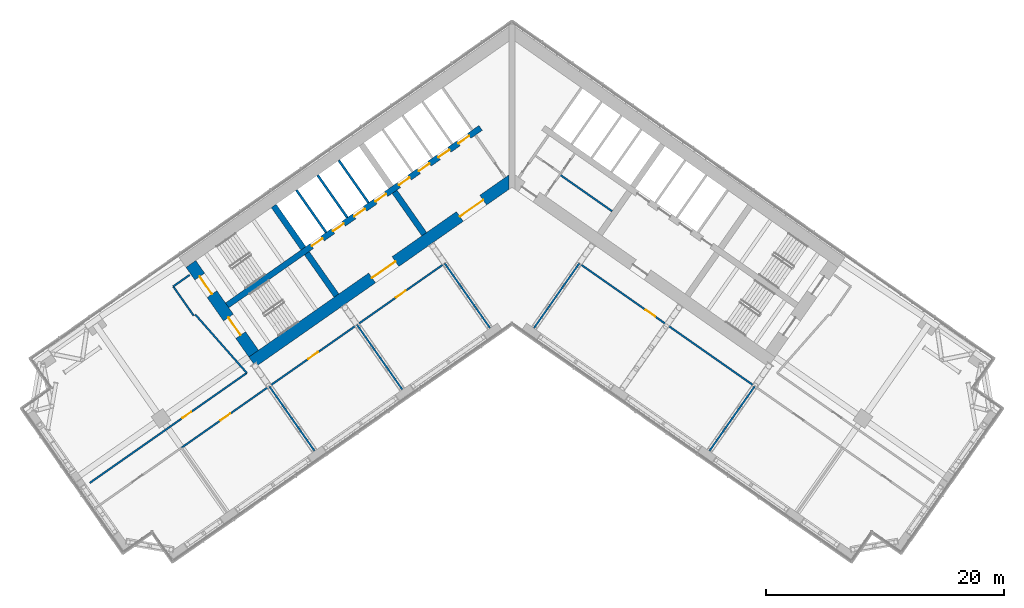
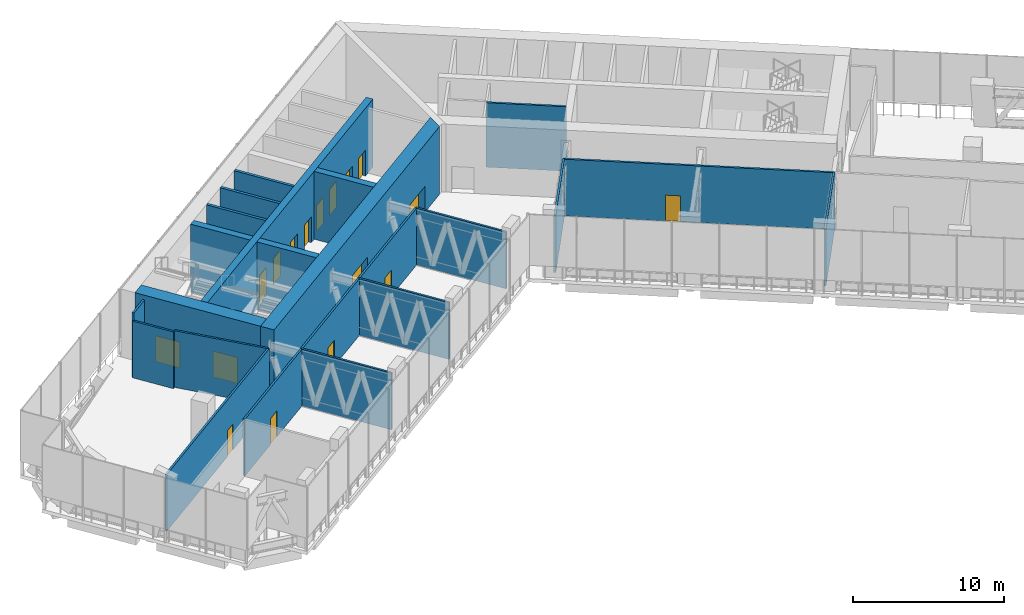
# One storey, part 5 of 24: 23 walls, 17 doors, 17 openings.
"""IFC4 building model written with IfcOpenShell, lengths in metres."""

from ifc_helpers import new_model, si_unit, direction, frame, frame_2d, origin, place, context, subcontext, project, spatial, polyline, rectangle, outline, extrude, material, layer, layer_set, type_object, element, fill, save


model = new_model("IFC4")

# Units and contexts
model_context = context("Model", 3, precision=1e-05, world=origin(), true_north=direction((0.0, 1.0)))
body_context = subcontext(model_context, "Body", "Model", "MODEL_VIEW")
ifc_project = project(units=[si_unit("LENGTHUNIT", "METRE"), si_unit("AREAUNIT", "SQUARE_METRE"), si_unit("VOLUMEUNIT", "CUBIC_METRE"), si_unit("PLANEANGLEUNIT", "RADIAN"), si_unit("MASSUNIT", "GRAM", prefix="KILO")], contexts=[model_context])

# Site, building, storey
site_placement = place(None, origin())
site = spatial("IfcSite", under=ifc_project, at=site_placement, CompositionType="ELEMENT")
building_placement = place(site_placement, origin())
building = spatial("IfcBuilding", under=site, at=building_placement, Name="Tel Ilan Convention Tower", CompositionType="ELEMENT")
storey_placement = place(building_placement, frame((0.0, 0.0, 126.5)))
storey = spatial("IfcBuildingStorey", under=building, at=storey_placement, Name="L28", CompositionType="ELEMENT", Elevation=126.5)

# Wall
ifc_material_1 = material(Name="Gypsum Plasterboard on Steel Stud", Category="steel")
ifc_layer_1 = layer(ifc_material_1, 0.14990234375)
ifc_layer_set_1 = layer_set([ifc_layer_1], Name="Core Room Partition Wall 150 mm EI 60")
wall_type_1 = type_object("IfcWallType", Name="Core Room Partition Wall 150 mm EI 60", PredefinedType="PARTITIONING", material=ifc_layer_set_1)
wall_1_placement = place(storey_placement, frame((4.03271484375, -0.16845703125, 0.0), z_axis=(0.0, 0.0, 1.0), x_axis=(0.819146154531, -0.573584847705, 0.0)))
element("IfcWall", 1, at=wall_1_placement, inside=storey, type_object=wall_type_1, Name="L28 core wall wc-h2", PredefinedType="PARTITIONING", context=body_context, shape_type="SweptSolid", body=[
    extrude(rectangle(XDim=5.349853515625, YDim=0.14990234375, at=frame_2d((2.6748046875, 0.0))), origin(), (0.0, 0.0, 1.0), 5.219970703125),
])

# Wall, openings, doors
ifc_material_2 = material(Name="Concrete C60/75", Category="concrete")
ifc_layer_2 = layer(ifc_material_2, 1.0)
ifc_layer_set_2 = layer_set([ifc_layer_2], Name="Core Shear Wall 1000 mm C60/75")
wall_type_2 = type_object("IfcWallType", Name="Core Shear Wall 1000 mm C60/75", PredefinedType="SHEAR", material=ifc_layer_set_2)
wall_2_placement = place(storey_placement, frame((0.036865234375, -0.584716796875, 0.0), z_axis=(0.0, 0.0, 1.0), x_axis=(-0.819157152511, -0.573569140985, 0.0)))
wall_2 = element("IfcWall", 2, at=wall_2_placement, inside=storey, type_object=wall_type_2, Name="L28 core wall W-front", PredefinedType="SHEAR", context=body_context, shape_type="SweptSolid", body=[
    extrude(outline(polyline([(26.69482421875, 0.500244140625), (0.7001953125, 0.499755859375), (0.0, -0.5), (26.69482421875, -0.499755859375), (26.69482421875, 0.500244140625)])), origin(), (0.0, 0.0, 1.0), 5.5),
])
opening_1_placement = place(wall_2_placement, frame((2.994873046875, 0.0, 0.0)))
opening_1 = element("IfcOpeningElement", 3, at=opening_1_placement, cuts=wall_2, Name="Opening CD2205", PredefinedType="OPENING", context=body_context, shape_type="SweptSolid", body=[
    extrude(rectangle(XDim=2.39990234375, YDim=2.10009765625, at=frame_2d((1.199951171875, 1.050048828125))), frame((0.0, 0.510009765625, 0.0), z_axis=(0.0, -1.0, 0.0), x_axis=(1.0, 0.0, 0.0)), (0.0, 0.0, 1.0), 1.02001953125),
])
opening_2_placement = place(wall_2_placement, frame((11.994873046875, 0.0, 0.0)))
opening_2 = element("IfcOpeningElement", 4, at=opening_2_placement, cuts=wall_2, Name="Opening CD2206", PredefinedType="OPENING", context=body_context, shape_type="SweptSolid", body=[
    extrude(rectangle(XDim=2.39990234375, YDim=2.10009765625, at=frame_2d((1.199951171875, 1.050048828125))), frame((0.0, 0.510009765625, 0.0), z_axis=(0.0, -1.0, 0.0), x_axis=(1.0, 0.0, 0.0)), (0.0, 0.0, 1.0), 1.02001953125),
])
ifc_material_3 = material(Name="Glazed Aluminium Door Leaf", Category="aluminium")
door_type_1 = type_object("IfcDoorType", Name="Lobby Opening Door 2400 x 2100 FD60S", OperationType="NOTDEFINED", PredefinedType="DOOR", material=ifc_material_3)
door_1_placement = place(opening_1_placement, origin())
door_1 = element("IfcDoor", 5, at=door_1_placement, inside=storey, type_object=door_type_1, Name="Lift Lobby LR1-LR4 opening", OperationType="DOUBLE_DOOR_SINGLE_SWING", OverallHeight=2.10009765625, OverallWidth=2.39990234375, PredefinedType="DOOR", context=body_context, shape_type="SweptSolid", body=[
    extrude(rectangle(XDim=2.39990234375, YDim=2.10009765625, at=frame_2d((1.199951171875, 1.050048828125))), frame((0.0, 0.02490234375, 0.0), z_axis=(0.0, -1.0, 0.0), x_axis=(1.0, 0.0, 0.0)), (0.0, 0.0, 1.0), 0.050048828125),
])
fill(opening_1, door_1)
door_2_placement = place(opening_2_placement, origin())
door_2 = element("IfcDoor", 6, at=door_2_placement, inside=storey, type_object=door_type_1, Name="Lift Lobby LR5-LR8 opening", OperationType="DOUBLE_DOOR_SINGLE_SWING", OverallHeight=2.10009765625, OverallWidth=2.39990234375, PredefinedType="DOOR", context=body_context, shape_type="SweptSolid", body=[
    extrude(rectangle(XDim=2.39990234375, YDim=2.10009765625, at=frame_2d((1.199951171875, 1.050048828125))), frame((0.0, 0.02490234375, 0.0), z_axis=(0.0, -1.0, 0.0), x_axis=(1.0, 0.0, 0.0)), (0.0, 0.0, 1.0), 0.050048828125),
])
fill(opening_2, door_2)

wall_3_placement = place(storey_placement, frame((-21.70751953125, -15.19970703125, 0.0), z_axis=(0.0, 0.0, 1.0), x_axis=(-0.573576324356, 0.819152122709, 0.0)))
wall_3 = element("IfcWall", 7, at=wall_3_placement, inside=storey, type_object=wall_type_2, Name="L28 core wall W-end", PredefinedType="SHEAR", context=body_context, shape_type="SweptSolid", body=[
    extrude(outline(polyline([(0.0, 0.5), (0.0, -0.5), (9.199951171875, -0.5), (9.199951171875, 0.5), (0.0, 0.5)])), origin(), (0.0, 0.0, 1.0), 5.5),
])
opening_3_placement = place(wall_3_placement, frame((6.10009765625, 0.0, 0.0)))
opening_3 = element("IfcOpeningElement", 8, at=opening_3_placement, cuts=wall_3, Name="Opening SD2201", PredefinedType="OPENING", context=body_context, shape_type="SweptSolid", body=[
    extrude(rectangle(XDim=1.800048828125, YDim=2.10009765625, at=frame_2d((0.89990234375, 1.050048828125))), frame((0.0, 0.510009765625, 0.0), z_axis=(0.0, -1.0, 0.0), x_axis=(1.0, 0.0, 0.0)), (0.0, 0.0, 1.0), 1.02001953125),
])
opening_4_placement = place(wall_3_placement, frame((1.89990234375, 0.0, 0.0)))
opening_4 = element("IfcOpeningElement", 9, at=opening_4_placement, cuts=wall_3, Name="Opening SD2202", PredefinedType="OPENING", context=body_context, shape_type="SweptSolid", body=[
    extrude(rectangle(XDim=1.800048828125, YDim=2.10009765625, at=frame_2d((0.89990234375, 1.050048828125))), frame((0.0, 0.510009765625, 0.0), z_axis=(0.0, -1.0, 0.0), x_axis=(1.0, 0.0, 0.0)), (0.0, 0.0, 1.0), 1.02001953125),
])
ifc_material_4 = material(Name="Galvanised Steel Door Leaf", Category="steel")
door_type_2 = type_object("IfcDoorType", Name="Stair Fire Door 1800 x 2100 FD60S", OperationType="NOTDEFINED", PredefinedType="DOOR", material=ifc_material_4)
door_3_placement = place(opening_3_placement, origin())
door_3 = element("IfcDoor", 10, at=door_3_placement, inside=storey, type_object=door_type_2, Name="Stair S1 door", OperationType="DOUBLE_DOOR_SINGLE_SWING", OverallHeight=2.10009765625, OverallWidth=1.800048828125, PredefinedType="DOOR", context=body_context, shape_type="SweptSolid", body=[
    extrude(rectangle(XDim=1.800048828125, YDim=2.10009765625, at=frame_2d((0.89990234375, 1.050048828125))), frame((0.0, 0.02490234375, 0.0), z_axis=(0.0, -1.0, 0.0), x_axis=(1.0, 0.0, 0.0)), (0.0, 0.0, 1.0), 0.050048828125),
])
fill(opening_3, door_3)
door_4_placement = place(opening_4_placement, origin())
door_4 = element("IfcDoor", 11, at=door_4_placement, inside=storey, type_object=door_type_2, Name="Stair S2 door", OperationType="DOUBLE_DOOR_SINGLE_SWING", OverallHeight=2.10009765625, OverallWidth=1.800048828125, PredefinedType="DOOR", context=body_context, shape_type="SweptSolid", body=[
    extrude(rectangle(XDim=1.800048828125, YDim=2.10009765625, at=frame_2d((0.89990234375, 1.050048828125))), frame((0.0, 0.02490234375, 0.0), z_axis=(0.0, -1.0, 0.0), x_axis=(1.0, 0.0, 0.0)), (0.0, 0.0, 1.0), 0.050048828125),
])
fill(opening_4, door_4)

# Walls
ifc_material_5 = material(Name="Concrete C60/75", Category="concrete")
ifc_layer_3 = layer(ifc_material_5, 0.5)
ifc_layer_set_3 = layer_set([ifc_layer_3], Name="Core Shear Wall 500 mm C60/75")
wall_type_3 = type_object("IfcWallType", Name="Core Shear Wall 500 mm C60/75", PredefinedType="SHEAR", material=ifc_layer_set_3)
wall_4_placement = place(storey_placement, frame((-7.372314453125, -5.162109375, 0.0), z_axis=(0.0, 0.0, 1.0), x_axis=(-0.573594173421, 0.819139624372, 0.0)))
element("IfcWall", 12, at=wall_4_placement, inside=storey, type_object=wall_type_3, Name="L28 core wall W-cross1-1", PredefinedType="SHEAR", context=body_context, shape_type="SweptSolid", body=[
    extrude(outline(polyline([(4.349853515625, 0.25), (0.0, 0.250244140625), (0.0, -0.25), (4.349853515625, -0.25), (4.349853515625, 0.25)])), origin(), (0.0, 0.0, 1.0), 5.5),
])
wall_5_placement = place(storey_placement, frame((-14.74462890625, -10.324462890625, 0.0), z_axis=(0.0, 0.0, 1.0), x_axis=(-0.57356780395, 0.819158088694, 0.0)))
element("IfcWall", 13, at=wall_5_placement, inside=storey, type_object=wall_type_3, Name="L28 core wall W-cross2-1", PredefinedType="SHEAR", context=body_context, shape_type="SweptSolid", body=[
    extrude(outline(polyline([(4.35009765625, 0.250244140625), (0.0, 0.25), (0.0, -0.25), (4.35009765625, -0.25), (4.35009765625, 0.250244140625)])), origin(), (0.0, 0.0, 1.0), 5.5),
])
wall_6_placement = place(storey_placement, frame((-17.526611328125, -6.3515625, 0.0), z_axis=(0.0, 0.0, 1.0), x_axis=(-0.573530143085, 0.819184457233, 0.0)))
element("IfcWall", 14, at=wall_6_placement, inside=storey, type_object=wall_type_3, Name="L28 core wall W-cross2-2", PredefinedType="SHEAR", context=body_context, shape_type="SweptSolid", body=[
    extrude(outline(polyline([(4.35009765625, -0.249755859375), (4.35009765625, 0.250244140625), (0.0, 0.25), (0.0, -0.25), (4.35009765625, -0.249755859375)])), origin(), (0.0, 0.0, 1.0), 5.5),
])

# Wall, openings, doors
wall_7_placement = place(storey_placement, frame((-2.638427734375, 3.76806640625, 0.0), z_axis=(0.0, 0.0, 1.0), x_axis=(-0.819148977158, -0.573580816643, 0.0)))
wall_7 = element("IfcWall", 15, at=wall_7_placement, inside=storey, type_object=wall_type_3, Name="L28 core wall W-spine", PredefinedType="SHEAR", context=body_context, shape_type="SweptSolid", body=[
    extrude(outline(polyline([(26.0, 0.249755859375), (0.0, 0.25), (0.0, -0.25), (26.0, -0.250244140625), (26.0, 0.249755859375)])), origin(), (0.0, 0.0, 1.0), 5.5),
])
opening_5_placement = place(wall_7_placement, frame((1.168701171875, 0.0, 0.0)))
opening_5 = element("IfcOpeningElement", 16, at=opening_5_placement, cuts=wall_7, Name="Opening LD2204", PredefinedType="OPENING", context=body_context, shape_type="SweptSolid", body=[
    extrude(rectangle(XDim=1.10009765625, YDim=2.10009765625, at=frame_2d((0.550048828125, 1.050048828125))), frame((0.0, 0.260009765625, 0.0), z_axis=(0.0, -1.0, 0.0), x_axis=(1.0, 0.0, 0.0)), (0.0, 0.0, 1.0), 0.52001953125),
])
opening_6_placement = place(wall_7_placement, frame((3.206298828125, 0.0, 0.0)))
opening_6 = element("IfcOpeningElement", 17, at=opening_6_placement, cuts=wall_7, Name="Opening LD2205", PredefinedType="OPENING", context=body_context, shape_type="SweptSolid", body=[
    extrude(rectangle(XDim=1.10009765625, YDim=2.10009765625, at=frame_2d((0.550048828125, 1.050048828125))), frame((0.0, 0.260009765625, 0.0), z_axis=(0.0, -1.0, 0.0), x_axis=(1.0, 0.0, 0.0)), (0.0, 0.0, 1.0), 0.52001953125),
])
opening_7_placement = place(wall_7_placement, frame((5.24365234375, 0.0, 0.0)))
opening_7 = element("IfcOpeningElement", 18, at=opening_7_placement, cuts=wall_7, Name="Opening LD2206", PredefinedType="OPENING", context=body_context, shape_type="SweptSolid", body=[
    extrude(rectangle(XDim=1.10009765625, YDim=2.10009765625, at=frame_2d((0.550048828125, 1.050048828125))), frame((0.0, 0.260009765625, 0.0), z_axis=(0.0, -1.0, 0.0), x_axis=(1.0, 0.0, 0.0)), (0.0, 0.0, 1.0), 0.52001953125),
])
opening_8_placement = place(wall_7_placement, frame((7.28125, 0.0, 0.0)))
opening_8 = element("IfcOpeningElement", 19, at=opening_8_placement, cuts=wall_7, Name="Opening LD2207", PredefinedType="OPENING", context=body_context, shape_type="SweptSolid", body=[
    extrude(rectangle(XDim=1.10009765625, YDim=2.10009765625, at=frame_2d((0.550048828125, 1.050048828125))), frame((0.0, 0.260009765625, 0.0), z_axis=(0.0, -1.0, 0.0), x_axis=(1.0, 0.0, 0.0)), (0.0, 0.0, 1.0), 0.52001953125),
])
opening_9_placement = place(wall_7_placement, frame((9.6875, 0.0, 0.0)))
opening_9 = element("IfcOpeningElement", 20, at=opening_9_placement, cuts=wall_7, Name="Opening LD2208", PredefinedType="OPENING", context=body_context, shape_type="SweptSolid", body=[
    extrude(rectangle(XDim=1.10009765625, YDim=2.10009765625, at=frame_2d((0.550048828125, 1.050048828125))), frame((0.0, 0.260009765625, 0.0), z_axis=(0.0, -1.0, 0.0), x_axis=(1.0, 0.0, 0.0)), (0.0, 0.0, 1.0), 0.52001953125),
])
opening_10_placement = place(wall_7_placement, frame((11.862548828125, 0.0, 0.0)))
opening_10 = element("IfcOpeningElement", 21, at=opening_10_placement, cuts=wall_7, Name="Opening LD2209", PredefinedType="OPENING", context=body_context, shape_type="SweptSolid", body=[
    extrude(rectangle(XDim=1.10009765625, YDim=2.10009765625, at=frame_2d((0.550048828125, 1.050048828125))), frame((0.0, 0.260009765625, 0.0), z_axis=(0.0, -1.0, 0.0), x_axis=(1.0, 0.0, 0.0)), (0.0, 0.0, 1.0), 0.52001953125),
])
opening_11_placement = place(wall_7_placement, frame((14.03759765625, 0.0, 0.0)))
opening_11 = element("IfcOpeningElement", 22, at=opening_11_placement, cuts=wall_7, Name="Opening LD2210", PredefinedType="OPENING", context=body_context, shape_type="SweptSolid", body=[
    extrude(rectangle(XDim=1.10009765625, YDim=2.10009765625, at=frame_2d((0.550048828125, 1.050048828125))), frame((0.0, 0.260009765625, 0.0), z_axis=(0.0, -1.0, 0.0), x_axis=(1.0, 0.0, 0.0)), (0.0, 0.0, 1.0), 0.52001953125),
])
opening_12_placement = place(wall_7_placement, frame((16.21240234375, 0.0, 0.0)))
opening_12 = element("IfcOpeningElement", 23, at=opening_12_placement, cuts=wall_7, Name="Opening LD2211", PredefinedType="OPENING", context=body_context, shape_type="SweptSolid", body=[
    extrude(rectangle(XDim=1.10009765625, YDim=2.10009765625, at=frame_2d((0.550048828125, 1.050048828125))), frame((0.0, 0.260009765625, 0.0), z_axis=(0.0, -1.0, 0.0), x_axis=(1.0, 0.0, 0.0)), (0.0, 0.0, 1.0), 0.52001953125),
])
ifc_material_6 = material(Name="Stainless Steel Sliding Door Leaf", Category="steel")
door_type_3 = type_object("IfcDoorType", Name="Lift Landing Door 1100 x 2100 FD120", OperationType="NOTDEFINED", PredefinedType="DOOR", material=ifc_material_6)
door_5_placement = place(opening_5_placement, origin())
door_5 = element("IfcDoor", 24, at=door_5_placement, inside=storey, type_object=door_type_3, Name="Lift LR1 landing door", OperationType="SLIDING_TO_LEFT", OverallHeight=2.10009765625, OverallWidth=1.10009765625, PredefinedType="DOOR", context=body_context, shape_type="SweptSolid", body=[
    extrude(rectangle(XDim=1.10009765625, YDim=2.10009765625, at=frame_2d((0.550048828125, 1.050048828125))), frame((0.0, 0.02490234375, 0.0), z_axis=(0.0, -1.0, 0.0), x_axis=(1.0, 0.0, 0.0)), (0.0, 0.0, 1.0), 0.050048828125),
])
fill(opening_5, door_5)
door_6_placement = place(opening_6_placement, origin())
door_6 = element("IfcDoor", 25, at=door_6_placement, inside=storey, type_object=door_type_3, Name="Lift LR2 landing door", OperationType="SLIDING_TO_RIGHT", OverallHeight=2.10009765625, OverallWidth=1.10009765625, PredefinedType="DOOR", context=body_context, shape_type="SweptSolid", body=[
    extrude(rectangle(XDim=1.10009765625, YDim=2.10009765625, at=frame_2d((0.550048828125, 1.050048828125))), frame((0.0, 0.02490234375, 0.0), z_axis=(0.0, -1.0, 0.0), x_axis=(1.0, 0.0, 0.0)), (0.0, 0.0, 1.0), 0.050048828125),
])
fill(opening_6, door_6)
door_7_placement = place(opening_7_placement, origin())
door_7 = element("IfcDoor", 26, at=door_7_placement, inside=storey, type_object=door_type_3, Name="Lift LR3 landing door", OperationType="SLIDING_TO_LEFT", OverallHeight=2.10009765625, OverallWidth=1.10009765625, PredefinedType="DOOR", context=body_context, shape_type="SweptSolid", body=[
    extrude(rectangle(XDim=1.10009765625, YDim=2.10009765625, at=frame_2d((0.550048828125, 1.050048828125))), frame((0.0, 0.02490234375, 0.0), z_axis=(0.0, -1.0, 0.0), x_axis=(1.0, 0.0, 0.0)), (0.0, 0.0, 1.0), 0.050048828125),
])
fill(opening_7, door_7)
door_8_placement = place(opening_8_placement, origin())
door_8 = element("IfcDoor", 27, at=door_8_placement, inside=storey, type_object=door_type_3, Name="Lift LR4 landing door", OperationType="SLIDING_TO_RIGHT", OverallHeight=2.10009765625, OverallWidth=1.10009765625, PredefinedType="DOOR", context=body_context, shape_type="SweptSolid", body=[
    extrude(rectangle(XDim=1.10009765625, YDim=2.10009765625, at=frame_2d((0.550048828125, 1.050048828125))), frame((0.0, 0.02490234375, 0.0), z_axis=(0.0, -1.0, 0.0), x_axis=(1.0, 0.0, 0.0)), (0.0, 0.0, 1.0), 0.050048828125),
])
fill(opening_8, door_8)
door_9_placement = place(opening_9_placement, origin())
door_9 = element("IfcDoor", 28, at=door_9_placement, inside=storey, type_object=door_type_3, Name="Lift LR5 landing door", OperationType="SLIDING_TO_LEFT", OverallHeight=2.10009765625, OverallWidth=1.10009765625, PredefinedType="DOOR", context=body_context, shape_type="SweptSolid", body=[
    extrude(rectangle(XDim=1.10009765625, YDim=2.10009765625, at=frame_2d((0.550048828125, 1.050048828125))), frame((0.0, 0.02490234375, 0.0), z_axis=(0.0, -1.0, 0.0), x_axis=(1.0, 0.0, 0.0)), (0.0, 0.0, 1.0), 0.050048828125),
])
fill(opening_9, door_9)
door_10_placement = place(opening_10_placement, origin())
door_10 = element("IfcDoor", 29, at=door_10_placement, inside=storey, type_object=door_type_3, Name="Lift LR6 landing door", OperationType="SLIDING_TO_RIGHT", OverallHeight=2.10009765625, OverallWidth=1.10009765625, PredefinedType="DOOR", context=body_context, shape_type="SweptSolid", body=[
    extrude(rectangle(XDim=1.10009765625, YDim=2.10009765625, at=frame_2d((0.550048828125, 1.050048828125))), frame((0.0, 0.02490234375, 0.0), z_axis=(0.0, -1.0, 0.0), x_axis=(1.0, 0.0, 0.0)), (0.0, 0.0, 1.0), 0.050048828125),
])
fill(opening_10, door_10)
door_11_placement = place(opening_11_placement, origin())
door_11 = element("IfcDoor", 30, at=door_11_placement, inside=storey, type_object=door_type_3, Name="Lift LR7 landing door", OperationType="SLIDING_TO_LEFT", OverallHeight=2.10009765625, OverallWidth=1.10009765625, PredefinedType="DOOR", context=body_context, shape_type="SweptSolid", body=[
    extrude(rectangle(XDim=1.10009765625, YDim=2.10009765625, at=frame_2d((0.550048828125, 1.050048828125))), frame((0.0, 0.02490234375, 0.0), z_axis=(0.0, -1.0, 0.0), x_axis=(1.0, 0.0, 0.0)), (0.0, 0.0, 1.0), 0.050048828125),
])
fill(opening_11, door_11)
door_12_placement = place(opening_12_placement, origin())
door_12 = element("IfcDoor", 31, at=door_12_placement, inside=storey, type_object=door_type_3, Name="Lift LR8 landing door", OperationType="SLIDING_TO_RIGHT", OverallHeight=2.10009765625, OverallWidth=1.10009765625, PredefinedType="DOOR", context=body_context, shape_type="SweptSolid", body=[
    extrude(rectangle(XDim=1.10009765625, YDim=2.10009765625, at=frame_2d((0.550048828125, 1.050048828125))), frame((0.0, 0.02490234375, 0.0), z_axis=(0.0, -1.0, 0.0), x_axis=(1.0, 0.0, 0.0)), (0.0, 0.0, 1.0), 0.050048828125),
])
fill(opening_12, door_12)

# Wall, opening, door
ifc_material_7 = material(Name="Plasterboard on Steel Studs", Category="steel")
ifc_layer_4 = layer(ifc_material_7, 0.14990234375)
ifc_layer_set_4 = layer_set([ifc_layer_4], Name="Fire-rated Partition 150 EI 60")
wall_type_4 = type_object("IfcWallType", Name="Fire-rated Partition 150 EI 60", PredefinedType="PARTITIONING", material=ifc_layer_set_4)
wall_8_placement = place(storey_placement, frame((20.398193359375, -17.94482421875, 0.0), z_axis=(0.0, 0.0, 1.0), x_axis=(-0.81916437852, 0.57355882084, 0.0)))
wall_8 = element("IfcWall", 32, at=wall_8_placement, inside=storey, type_object=wall_type_4, Name="Partition 002", PredefinedType="PARTITIONING", context=body_context, shape_type="SweptSolid", body=[
    extrude(rectangle(XDim=18.001953125, YDim=0.14990234375, at=frame_2d((9.0009765625, 0.0))), origin(), (0.0, 0.0, 1.0), 4.60009765625),
])
opening_13_placement = place(wall_8_placement, frame((10.200927734375, 0.0, 0.0)))
opening_13 = element("IfcOpeningElement", 33, at=opening_13_placement, cuts=wall_8, Name="Opening L28-006", PredefinedType="OPENING", context=body_context, shape_type="SweptSolid", body=[
    extrude(rectangle(XDim=1.0, YDim=2.10009765625, at=frame_2d((0.5, 1.050048828125))), frame((0.0, 0.0849609375, 0.0), z_axis=(0.0, -1.0, 0.0), x_axis=(1.0, 0.0, 0.0)), (0.0, 0.0, 1.0), 0.169921875),
])
ifc_material_8 = material(Name="Timber Door Leaf in Steel Frame", Category="steel")
door_type_4 = type_object("IfcDoorType", Name="Plant Room Fire Door 1000x2100", OperationType="NOTDEFINED", PredefinedType="DOOR", material=ifc_material_8)
door_13_placement = place(opening_13_placement, origin())
door_13 = element("IfcDoor", 34, at=door_13_placement, inside=storey, type_object=door_type_4, Name="Door L28-006", OperationType="SINGLE_SWING_LEFT", OverallHeight=2.10009765625, OverallWidth=1.0, PredefinedType="DOOR", context=body_context, shape_type="SweptSolid", body=[
    extrude(rectangle(XDim=1.0, YDim=2.10009765625, at=frame_2d((0.5, 1.050048828125))), frame((0.0, 0.02490234375, 0.0), z_axis=(0.0, -1.0, 0.0), x_axis=(1.0, 0.0, 0.0)), (0.0, 0.0, 1.0), 0.050048828125),
])
fill(opening_13, door_13)

wall_9_placement = place(storey_placement, frame((-35.47900390625, -26.064697265625, 0.0), z_axis=(0.0, 0.0, 1.0), x_axis=(0.819129378327, 0.573608805338, 0.0)))
wall_9 = element("IfcWall", 35, at=wall_9_placement, inside=storey, type_object=wall_type_4, Name="Partition 005", PredefinedType="PARTITIONING", context=body_context, shape_type="SweptSolid", body=[
    extrude(rectangle(XDim=16.10888671875, YDim=0.14990234375, at=frame_2d((8.054443359375, 0.0))), origin(), (0.0, 0.0, 1.0), 4.60009765625),
])
opening_14_placement = place(wall_9_placement, frame((9.50439453125, 0.0, 0.0)))
opening_14 = element("IfcOpeningElement", 36, at=opening_14_placement, cuts=wall_9, Name="Opening L28-005", PredefinedType="OPENING", context=body_context, shape_type="SweptSolid", body=[
    extrude(rectangle(XDim=0.89990234375, YDim=2.10009765625, at=frame_2d((0.449951171875, 1.050048828125))), frame((0.0, 0.0849609375, 0.0), z_axis=(0.0, -1.0, 0.0), x_axis=(1.0, 0.0, 0.0)), (0.0, 0.0, 1.0), 0.169921875),
])
ifc_material_9 = material(Name="Timber Door Leaf in Steel Frame", Category="steel")
door_type_5 = type_object("IfcDoorType", Name="Room Fire Door 900x2100", OperationType="NOTDEFINED", PredefinedType="DOOR", material=ifc_material_9)
door_14_placement = place(opening_14_placement, origin())
door_14 = element("IfcDoor", 37, at=door_14_placement, inside=storey, type_object=door_type_5, Name="Door L28-005", OperationType="SINGLE_SWING_LEFT", OverallHeight=2.10009765625, OverallWidth=0.89990234375, PredefinedType="DOOR", context=body_context, shape_type="SweptSolid", body=[
    extrude(rectangle(XDim=0.89990234375, YDim=2.10009765625, at=frame_2d((0.449951171875, 1.050048828125))), frame((0.0, 0.02490234375, 0.0), z_axis=(0.0, -1.0, 0.0), x_axis=(1.0, 0.0, 0.0)), (0.0, 0.0, 1.0), 0.050048828125),
])
fill(opening_14, door_14)

wall_10_placement = place(storey_placement, frame((-5.651611328125, -7.61962890625, 0.0), z_axis=(0.0, 0.0, 1.0), x_axis=(-0.81915291695, -0.57357519006, 0.0)))
wall_10 = element("IfcWall", 38, at=wall_10_placement, inside=storey, type_object=wall_type_4, Name="Partition 006", PredefinedType="PARTITIONING", context=body_context, shape_type="SweptSolid", body=[
    extrude(rectangle(XDim=9.001953125, YDim=0.14990234375, at=frame_2d((4.5009765625, 0.0))), origin(), (0.0, 0.0, 1.0), 4.60009765625),
])
opening_15_placement = place(wall_10_placement, frame((4.0009765625, 0.0, 0.0)))
opening_15 = element("IfcOpeningElement", 39, at=opening_15_placement, cuts=wall_10, Name="Opening L28-001", PredefinedType="OPENING", context=body_context, shape_type="SweptSolid", body=[
    extrude(rectangle(XDim=1.0, YDim=2.10009765625, at=frame_2d((0.5, 1.050048828125))), frame((0.0, 0.0849609375, 0.0), z_axis=(0.0, -1.0, 0.0), x_axis=(1.0, 0.0, 0.0)), (0.0, 0.0, 1.0), 0.169921875),
])
door_15_placement = place(opening_15_placement, origin())
door_15 = element("IfcDoor", 40, at=door_15_placement, inside=storey, type_object=door_type_4, Name="Door L28-001", OperationType="SINGLE_SWING_RIGHT", OverallHeight=2.10009765625, OverallWidth=1.0, PredefinedType="DOOR", context=body_context, shape_type="SweptSolid", body=[
    extrude(rectangle(XDim=1.0, YDim=2.10009765625, at=frame_2d((0.5, 1.050048828125))), frame((0.0, 0.02490234375, 0.0), z_axis=(0.0, -1.0, 0.0), x_axis=(1.0, 0.0, 0.0)), (0.0, 0.0, 1.0), 0.050048828125),
])
fill(opening_15, door_15)

wall_11_placement = place(storey_placement, frame((-13.0224609375, -12.78076171875, 0.0), z_axis=(0.0, 0.0, 1.0), x_axis=(-0.819142740634, -0.573589723117, 0.0)))
wall_11 = element("IfcWall", 41, at=wall_11_placement, inside=storey, type_object=wall_type_4, Name="Partition 007", PredefinedType="PARTITIONING", context=body_context, shape_type="SweptSolid", body=[
    extrude(rectangle(XDim=9.00390625, YDim=0.14990234375, at=frame_2d((4.501953125, 0.0))), origin(), (0.0, 0.0, 1.0), 4.60009765625),
])
opening_16_placement = place(wall_11_placement, frame((4.001953125, 0.0, 0.0)))
opening_16 = element("IfcOpeningElement", 42, at=opening_16_placement, cuts=wall_11, Name="Opening L28-002", PredefinedType="OPENING", context=body_context, shape_type="SweptSolid", body=[
    extrude(rectangle(XDim=1.0, YDim=2.10009765625, at=frame_2d((0.5, 1.050048828125))), frame((0.0, 0.0849609375, 0.0), z_axis=(0.0, -1.0, 0.0), x_axis=(1.0, 0.0, 0.0)), (0.0, 0.0, 1.0), 0.169921875),
])
door_16_placement = place(opening_16_placement, origin())
door_16 = element("IfcDoor", 43, at=door_16_placement, inside=storey, type_object=door_type_4, Name="Door L28-002", OperationType="SINGLE_SWING_LEFT", OverallHeight=2.10009765625, OverallWidth=1.0, PredefinedType="DOOR", context=body_context, shape_type="SweptSolid", body=[
    extrude(rectangle(XDim=1.0, YDim=2.10009765625, at=frame_2d((0.5, 1.050048828125))), frame((0.0, 0.02490234375, 0.0), z_axis=(0.0, -1.0, 0.0), x_axis=(1.0, 0.0, 0.0)), (0.0, 0.0, 1.0), 0.050048828125),
])
fill(opening_16, door_16)

wall_12_placement = place(storey_placement, frame((-20.394775390625, -17.94287109375, 0.0), z_axis=(0.0, 0.0, 1.0), x_axis=(-0.819151661297, -0.57357698332, 0.0)))
wall_12 = element("IfcWall", 44, at=wall_12_placement, inside=storey, type_object=wall_type_4, Name="Partition 008", PredefinedType="PARTITIONING", context=body_context, shape_type="SweptSolid", body=[
    extrude(rectangle(XDim=9.004150390625, YDim=0.14990234375, at=frame_2d((4.501953125, 0.0))), origin(), (0.0, 0.0, 1.0), 4.60009765625),
])
opening_17_placement = place(wall_12_placement, frame((4.001953125, 0.0, 0.0)))
opening_17 = element("IfcOpeningElement", 45, at=opening_17_placement, cuts=wall_12, Name="Opening L28-003", PredefinedType="OPENING", context=body_context, shape_type="SweptSolid", body=[
    extrude(rectangle(XDim=1.0, YDim=2.10009765625, at=frame_2d((0.5, 1.050048828125))), frame((0.0, 0.0849609375, 0.0), z_axis=(0.0, -1.0, 0.0), x_axis=(1.0, 0.0, 0.0)), (0.0, 0.0, 1.0), 0.169921875),
])
door_17_placement = place(opening_17_placement, origin())
door_17 = element("IfcDoor", 46, at=door_17_placement, inside=storey, type_object=door_type_4, Name="Door L28-003", OperationType="SINGLE_SWING_RIGHT", OverallHeight=2.10009765625, OverallWidth=1.0, PredefinedType="DOOR", context=body_context, shape_type="SweptSolid", body=[
    extrude(rectangle(XDim=1.0, YDim=2.10009765625, at=frame_2d((0.5, 1.050048828125))), frame((0.0, 0.02490234375, 0.0), z_axis=(0.0, -1.0, 0.0), x_axis=(1.0, 0.0, 0.0)), (0.0, 0.0, 1.0), 0.050048828125),
])
fill(opening_17, door_17)

# Walls
wall_13_placement = place(storey_placement, frame((20.396484375, -17.944091796875, 0.0), z_axis=(0.0, 0.0, 1.0), x_axis=(-0.57359826181, -0.819136761505, 0.0)))
element("IfcWall", 47, at=wall_13_placement, inside=storey, type_object=wall_type_4, Name="Partition 013", PredefinedType="PARTITIONING", context=body_context, shape_type="SweptSolid", body=[
    extrude(rectangle(XDim=6.630126953125, YDim=0.14990234375, at=frame_2d((3.31494140625, 0.0))), origin(), (0.0, 0.0, 1.0), 4.60009765625),
])
wall_14_placement = place(storey_placement, frame((1.848876953125, -13.050537109375, 0.0), z_axis=(0.0, 0.0, 1.0), x_axis=(0.57357355307, 0.819154063177, 0.0)))
element("IfcWall", 48, at=wall_14_placement, inside=storey, type_object=wall_type_4, Name="Partition 014", PredefinedType="PARTITIONING", context=body_context, shape_type="SweptSolid", body=[
    extrude(rectangle(XDim=6.6298828125, YDim=0.14990234375, at=frame_2d((3.31494140625, 0.0))), origin(), (0.0, 0.0, 1.0), 4.60009765625),
])
wall_15_placement = place(storey_placement, frame((-1.848876953125, -13.050537109375, 0.0), z_axis=(0.0, 0.0, 1.0), x_axis=(-0.573575988258, 0.819152358047, 0.0)))
element("IfcWall", 49, at=wall_15_placement, inside=storey, type_object=wall_type_4, Name="Partition 016", PredefinedType="PARTITIONING", context=body_context, shape_type="SweptSolid", body=[
    extrude(rectangle(XDim=6.632080078125, YDim=0.14990234375, at=frame_2d((3.31591796875, 0.0))), origin(), (0.0, 0.0, 1.0), 4.60009765625),
])
wall_16_placement = place(storey_placement, frame((-26.74609375, -12.013671875, 0.0), z_axis=(0.0, 0.0, 1.0), x_axis=(-0.573560650686, 0.819163097304, 0.0)))
element("IfcWall", 50, at=wall_16_placement, inside=storey, type_object=wall_type_4, Name="Partition 017", PredefinedType="PARTITIONING", context=body_context, shape_type="SweptSolid", body=[
    extrude(rectangle(XDim=3.0, YDim=0.14990234375, at=frame_2d((1.5, 0.0))), origin(), (0.0, 0.0, 1.0), 4.60009765625),
])
wall_17_placement = place(storey_placement, frame((-28.466796875, -9.55615234375, 0.0), z_axis=(0.0, 0.0, 1.0), x_axis=(0.819109000826, 0.573637903879, 0.0)))
element("IfcWall", 51, at=wall_17_placement, inside=storey, type_object=wall_type_4, Name="Partition 018", PredefinedType="PARTITIONING", context=body_context, shape_type="SweptSolid", body=[
    extrude(rectangle(XDim=1.679931640625, YDim=0.14990234375, at=frame_2d((0.83984375, 0.0))), origin(), (0.0, 0.0, 1.0), 5.219970703125),
])
wall_18_placement = place(storey_placement, frame((-22.2841796875, -16.82666015625, 0.0), z_axis=(0.0, 0.0, 1.0), x_axis=(-0.661545117561, 0.749905365651, 0.0)))
element("IfcWall", 52, at=wall_18_placement, inside=storey, type_object=wall_type_4, Name="Partition 019", PredefinedType="PARTITIONING", context=body_context, shape_type="SweptSolid", body=[
    extrude(rectangle(XDim=6.542724609375, YDim=0.14990234375, at=frame_2d((3.271484375, 0.0))), origin(), (0.0, 0.0, 1.0), 4.60009765625),
])
for number, where, z_axis, x_axis, name in (
    (53, (-9.22119140625, -18.212890625, 0.0), (0.0, 0.0, 1.0), (-0.573556251799, 0.819166177294, 0.0), "Partition 020"),
    (54, (-16.593505859375, -23.375, 0.0), (0.0, 0.0, 1.0), (-0.57359826181, 0.819136761505, 0.0), "Partition 021"),
):
    element("IfcWall", number, at=place(storey_placement, frame(where, z_axis=z_axis, x_axis=x_axis)), inside=storey, type_object=wall_type_4, Name=name, PredefinedType="PARTITIONING", context=body_context, shape_type="SweptSolid", body=[
        extrude(rectangle(XDim=6.630126953125, YDim=0.14990234375, at=frame_2d((3.31494140625, 0.0))), origin(), (0.0, 0.0, 1.0), 4.60009765625),
    ])
ifc_material_10 = material(Name="Concrete C30/37", Category="concrete")
ifc_layer_5 = layer(ifc_material_10, 0.199951171875)
ifc_layer_set_5 = layer_set([ifc_layer_5], Name="Lift Shaft Wall 200 mm C30/37")
wall_type_5 = type_object("IfcWallType", Name="Lift Shaft Wall 200 mm C30/37", PredefinedType="SOLIDWALL", material=ifc_layer_set_5)
wall_19_placement = place(storey_placement, frame((-12.05859375, -2.52294921875, 0.0), z_axis=(0.0, 0.0, 1.0), x_axis=(-0.573594173421, 0.819139624372, 0.0)))
element("IfcWall", 55, at=wall_19_placement, inside=storey, type_object=wall_type_5, Name="L28 core wall bank-W2-p0", PredefinedType="SOLIDWALL", context=body_context, shape_type="SweptSolid", body=[
    extrude(rectangle(XDim=4.349853515625, YDim=0.199951171875, at=frame_2d((2.1748046875, 0.0))), origin(), (0.0, 0.0, 1.0), 5.5),
])
wall_20_placement = place(storey_placement, frame((-13.84033203125, -3.7705078125, 0.0), z_axis=(0.0, 0.0, 1.0), x_axis=(-0.57356780395, 0.819158088694, 0.0)))
element("IfcWall", 56, at=wall_20_placement, inside=storey, type_object=wall_type_5, Name="L28 core wall bank-W2-p1", PredefinedType="SOLIDWALL", context=body_context, shape_type="SweptSolid", body=[
    extrude(rectangle(XDim=4.35009765625, YDim=0.199951171875, at=frame_2d((2.175048828125, 0.0))), origin(), (0.0, 0.0, 1.0), 5.5),
])
wall_21_placement = place(storey_placement, frame((-15.6220703125, -5.017822265625, 0.0), z_axis=(0.0, 0.0, 1.0), x_axis=(-0.573594173421, 0.819139624372, 0.0)))
element("IfcWall", 57, at=wall_21_placement, inside=storey, type_object=wall_type_5, Name="L28 core wall bank-W2-p2", PredefinedType="SOLIDWALL", context=body_context, shape_type="SweptSolid", body=[
    extrude(rectangle(XDim=4.349853515625, YDim=0.199951171875, at=frame_2d((2.1748046875, 0.0))), origin(), (0.0, 0.0, 1.0), 5.5),
])

save(model, "model.ifc")
